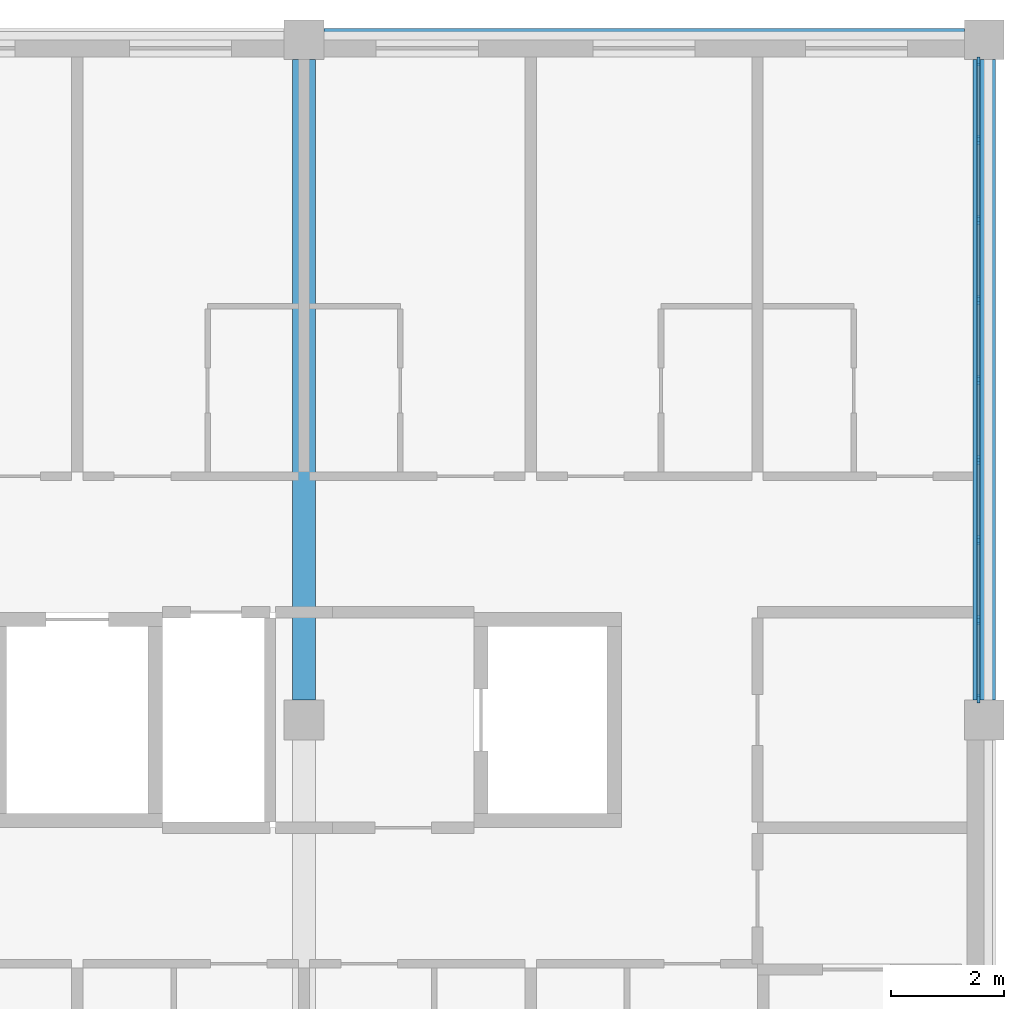
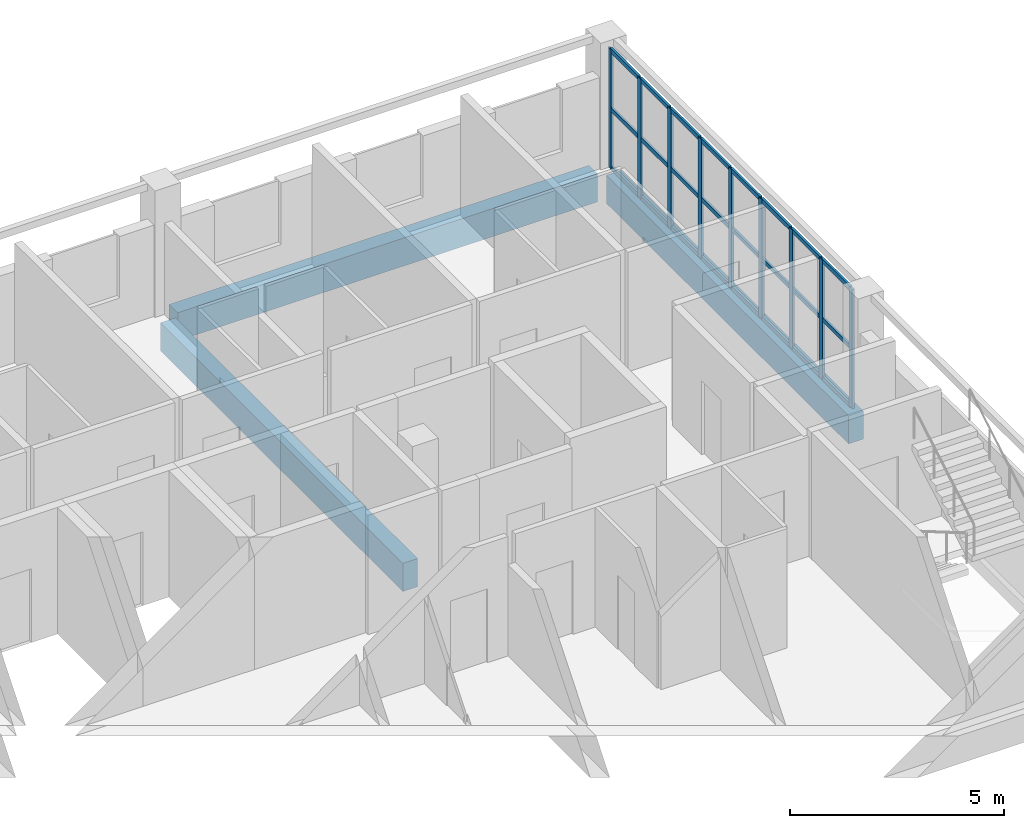
# One storey, part 4 of 11: 33 members, 3 beams, 1 element without a shape of its own.
"""IFC4 building model written with IfcOpenShell, lengths in metres."""

from ifc_helpers import new_model, si_unit, direction, frame, origin, origin_2d, place, context, subcontext, project, spatial, rectangle, extrude, material, layer, layer_set, material_profile, profile_set, type_object, element, aggregate, save


model = new_model("IFC4")

# Units and contexts
model_context = context("Model", 3, precision=1e-05, world=origin(), true_north=direction((0.0, 1.0)))
body_context = subcontext(model_context, "Body", "Model", "MODEL_VIEW")
ifc_project = project(units=[si_unit("LENGTHUNIT", "METRE"), si_unit("AREAUNIT", "SQUARE_METRE"), si_unit("VOLUMEUNIT", "CUBIC_METRE"), si_unit("PLANEANGLEUNIT", "RADIAN"), si_unit("MASSUNIT", "GRAM", prefix="KILO")], contexts=[model_context])

# Site, building, storey
site_placement = place(None, origin())
site = spatial("IfcSite", under=ifc_project, at=site_placement, CompositionType="ELEMENT")
building_placement = place(site_placement, origin())
building = spatial("IfcBuilding", under=site, at=building_placement, Name="Lilac Gate Convention Centre", CompositionType="ELEMENT")
storey_placement = place(building_placement, frame((0.0, 0.0, 57.0)))
storey = spatial("IfcBuildingStorey", under=building, at=storey_placement, Name="L14", CompositionType="ELEMENT", Elevation=57.0)

# Curtain wall, members
ifc_material_1 = material(Name="Aluminium framed double glazing", Category="aluminium")
ifc_layer = layer(ifc_material_1, 0.199951171875)
ifc_layer_set = layer_set([ifc_layer], Name="Aluminium framed double glazing")
curtain_wall_type = type_object("IfcCurtainWallType", Name="Unitised curtain wall 1500", PredefinedType="NOTDEFINED", material=ifc_layer_set)
curtain_wall_placement = place(storey_placement, origin())
curtain_wall = element("IfcCurtainWall", 1, at=curtain_wall_placement, inside=storey, type_object=curtain_wall_type, Name="Curtain wall E L14 2", PredefinedType="NOTDEFINED")
ifc_material_2 = material(Name="Aluminium alloy 6063", Category="aluminium")
ifc_material_profile_1 = material_profile(ifc_material_2, rectangle(XDim=0.06005859375, YDim=0.159912109375, at=origin_2d()), Name="Curtain wall mullion 60 x 160")
ifc_profile_set_1 = profile_set([ifc_material_profile_1], Name="Aluminium alloy 6063")
member_type_1 = type_object("IfcMemberType", Name="Curtain wall mullion 60 x 160", PredefinedType="MULLION", material=ifc_profile_set_1)
member_1_placement = place(storey_placement, frame((89.89990234375, 234.380126953125, 0.0), z_axis=(0.0, 0.0, 1.0), x_axis=(-1.0, 0.0, 0.0)))
member_1 = element("IfcMember", 2, at=member_1_placement, type_object=member_type_1, Name="CW mullion 1", PredefinedType="MULLION", context=body_context, shape_type="SweptSolid", body=[
    extrude(rectangle(XDim=0.06005859375, YDim=0.159912109375, at=origin_2d()), origin(), (0.0, 0.0, 1.0), 3.39990234375),
])
member_2_placement = place(storey_placement, frame((89.89990234375, 235.762451171875, 0.0), z_axis=(0.0, 0.0, 1.0), x_axis=(-1.0, 0.0, 0.0)))
member_2 = element("IfcMember", 3, at=member_2_placement, type_object=member_type_1, Name="CW mullion 2", PredefinedType="MULLION", context=body_context, shape_type="SweptSolid", body=[
    extrude(rectangle(XDim=0.06005859375, YDim=0.159912109375, at=origin_2d()), origin(), (0.0, 0.0, 1.0), 3.39990234375),
])
member_3_placement = place(storey_placement, frame((89.89990234375, 237.175048828125, 0.0), z_axis=(0.0, 0.0, 1.0), x_axis=(-1.0, 0.0, 0.0)))
member_3 = element("IfcMember", 4, at=member_3_placement, type_object=member_type_1, Name="CW mullion 3", PredefinedType="MULLION", context=body_context, shape_type="SweptSolid", body=[
    extrude(rectangle(XDim=0.06005859375, YDim=0.159912109375, at=origin_2d()), origin(), (0.0, 0.0, 1.0), 3.39990234375),
])
member_4_placement = place(storey_placement, frame((89.89990234375, 238.58740234375, 0.0), z_axis=(0.0, 0.0, 1.0), x_axis=(-1.0, 0.0, 0.0)))
member_4 = element("IfcMember", 5, at=member_4_placement, type_object=member_type_1, Name="CW mullion 4", PredefinedType="MULLION", context=body_context, shape_type="SweptSolid", body=[
    extrude(rectangle(XDim=0.06005859375, YDim=0.159912109375, at=origin_2d()), origin(), (0.0, 0.0, 1.0), 3.39990234375),
])
member_5_placement = place(storey_placement, frame((89.89990234375, 240.0, 0.0), z_axis=(0.0, 0.0, 1.0), x_axis=(-1.0, 0.0, 0.0)))
member_5 = element("IfcMember", 6, at=member_5_placement, type_object=member_type_1, Name="CW mullion 5", PredefinedType="MULLION", context=body_context, shape_type="SweptSolid", body=[
    extrude(rectangle(XDim=0.06005859375, YDim=0.159912109375, at=origin_2d()), origin(), (0.0, 0.0, 1.0), 3.39990234375),
])
member_6_placement = place(storey_placement, frame((89.89990234375, 241.41259765625, 0.0), z_axis=(0.0, 0.0, 1.0), x_axis=(-1.0, 0.0, 0.0)))
member_6 = element("IfcMember", 7, at=member_6_placement, type_object=member_type_1, Name="CW mullion 6", PredefinedType="MULLION", context=body_context, shape_type="SweptSolid", body=[
    extrude(rectangle(XDim=0.06005859375, YDim=0.159912109375, at=origin_2d()), origin(), (0.0, 0.0, 1.0), 3.39990234375),
])
member_7_placement = place(storey_placement, frame((89.89990234375, 242.824951171875, 0.0), z_axis=(0.0, 0.0, 1.0), x_axis=(-1.0, 0.0, 0.0)))
member_7 = element("IfcMember", 8, at=member_7_placement, type_object=member_type_1, Name="CW mullion 7", PredefinedType="MULLION", context=body_context, shape_type="SweptSolid", body=[
    extrude(rectangle(XDim=0.06005859375, YDim=0.159912109375, at=origin_2d()), origin(), (0.0, 0.0, 1.0), 3.39990234375),
])
member_8_placement = place(storey_placement, frame((89.89990234375, 244.237548828125, 0.0), z_axis=(0.0, 0.0, 1.0), x_axis=(-1.0, 0.0, 0.0)))
member_8 = element("IfcMember", 9, at=member_8_placement, type_object=member_type_1, Name="CW mullion 8", PredefinedType="MULLION", context=body_context, shape_type="SweptSolid", body=[
    extrude(rectangle(XDim=0.06005859375, YDim=0.159912109375, at=origin_2d()), origin(), (0.0, 0.0, 1.0), 3.39990234375),
])
member_9_placement = place(storey_placement, frame((89.89990234375, 245.619873046875, 0.0), z_axis=(0.0, 0.0, 1.0), x_axis=(-1.0, 0.0, 0.0)))
member_9 = element("IfcMember", 10, at=member_9_placement, type_object=member_type_1, Name="CW mullion 9", PredefinedType="MULLION", context=body_context, shape_type="SweptSolid", body=[
    extrude(rectangle(XDim=0.06005859375, YDim=0.159912109375, at=origin_2d()), origin(), (0.0, 0.0, 1.0), 3.39990234375),
])
ifc_material_profile_2 = material_profile(ifc_material_2, rectangle(XDim=0.06005859375, YDim=0.1201171875, at=origin_2d()), Name="Curtain wall transom 60 x 120")
ifc_profile_set_2 = profile_set([ifc_material_profile_2], Name="Aluminium alloy 6063")
member_type_2 = type_object("IfcMemberType", Name="Curtain wall transom 60 x 120", PredefinedType="USERDEFINED", material=ifc_profile_set_2)
member_10_placement = place(storey_placement, frame((89.89990234375, 234.41015625, 0.030029296875), z_axis=(0.0, 1.0, 0.0), x_axis=(-1.0, 0.0, 0.0)))
member_10 = element("IfcMember", 11, at=member_10_placement, type_object=member_type_2, Name="CW transom 1.1", ObjectType="TRANSOM", PredefinedType="USERDEFINED", context=body_context, shape_type="SweptSolid", body=[
    extrude(rectangle(XDim=0.06005859375, YDim=0.1201171875, at=origin_2d()), origin(), (0.0, 0.0, 1.0), 1.322509765625),
])
member_11_placement = place(storey_placement, frame((89.89990234375, 234.41015625, 1.699951171875), z_axis=(0.0, 1.0, 0.0), x_axis=(-1.0, 0.0, 0.0)))
member_11 = element("IfcMember", 12, at=member_11_placement, type_object=member_type_2, Name="CW transom 1.2", ObjectType="TRANSOM", PredefinedType="USERDEFINED", context=body_context, shape_type="SweptSolid", body=[
    extrude(rectangle(XDim=0.06005859375, YDim=0.1201171875, at=origin_2d()), origin(), (0.0, 0.0, 1.0), 1.322509765625),
])
member_12_placement = place(storey_placement, frame((89.89990234375, 234.41015625, 3.369873046875), z_axis=(0.0, 1.0, 0.0), x_axis=(-1.0, 0.0, 0.0)))
member_12 = element("IfcMember", 13, at=member_12_placement, type_object=member_type_2, Name="CW transom 1.3", ObjectType="TRANSOM", PredefinedType="USERDEFINED", context=body_context, shape_type="SweptSolid", body=[
    extrude(rectangle(XDim=0.06005859375, YDim=0.1201171875, at=origin_2d()), origin(), (0.0, 0.0, 1.0), 1.322509765625),
])
member_13_placement = place(storey_placement, frame((89.89990234375, 235.79248046875, 0.030029296875), z_axis=(0.0, 1.0, 0.0), x_axis=(-1.0, 0.0, 0.0)))
member_13 = element("IfcMember", 14, at=member_13_placement, type_object=member_type_2, Name="CW transom 2.1", ObjectType="TRANSOM", PredefinedType="USERDEFINED", context=body_context, shape_type="SweptSolid", body=[
    extrude(rectangle(XDim=0.06005859375, YDim=0.1201171875, at=origin_2d()), origin(), (0.0, 0.0, 1.0), 1.3525390625),
])
member_14_placement = place(storey_placement, frame((89.89990234375, 235.79248046875, 1.699951171875), z_axis=(0.0, 1.0, 0.0), x_axis=(-1.0, 0.0, 0.0)))
member_14 = element("IfcMember", 15, at=member_14_placement, type_object=member_type_2, Name="CW transom 2.2", ObjectType="TRANSOM", PredefinedType="USERDEFINED", context=body_context, shape_type="SweptSolid", body=[
    extrude(rectangle(XDim=0.06005859375, YDim=0.1201171875, at=origin_2d()), origin(), (0.0, 0.0, 1.0), 1.3525390625),
])
member_15_placement = place(storey_placement, frame((89.89990234375, 235.79248046875, 3.369873046875), z_axis=(0.0, 1.0, 0.0), x_axis=(-1.0, 0.0, 0.0)))
member_15 = element("IfcMember", 16, at=member_15_placement, type_object=member_type_2, Name="CW transom 2.3", ObjectType="TRANSOM", PredefinedType="USERDEFINED", context=body_context, shape_type="SweptSolid", body=[
    extrude(rectangle(XDim=0.06005859375, YDim=0.1201171875, at=origin_2d()), origin(), (0.0, 0.0, 1.0), 1.3525390625),
])
member_16_placement = place(storey_placement, frame((89.89990234375, 237.205078125, 0.030029296875), z_axis=(0.0, 1.0, 0.0), x_axis=(-1.0, 0.0, 0.0)))
member_16 = element("IfcMember", 17, at=member_16_placement, type_object=member_type_2, Name="CW transom 3.1", ObjectType="TRANSOM", PredefinedType="USERDEFINED", context=body_context, shape_type="SweptSolid", body=[
    extrude(rectangle(XDim=0.06005859375, YDim=0.1201171875, at=origin_2d()), origin(), (0.0, 0.0, 1.0), 1.3525390625),
])
member_17_placement = place(storey_placement, frame((89.89990234375, 237.205078125, 1.699951171875), z_axis=(0.0, 1.0, 0.0), x_axis=(-1.0, 0.0, 0.0)))
member_17 = element("IfcMember", 18, at=member_17_placement, type_object=member_type_2, Name="CW transom 3.2", ObjectType="TRANSOM", PredefinedType="USERDEFINED", context=body_context, shape_type="SweptSolid", body=[
    extrude(rectangle(XDim=0.06005859375, YDim=0.1201171875, at=origin_2d()), origin(), (0.0, 0.0, 1.0), 1.3525390625),
])
member_18_placement = place(storey_placement, frame((89.89990234375, 237.205078125, 3.369873046875), z_axis=(0.0, 1.0, 0.0), x_axis=(-1.0, 0.0, 0.0)))
member_18 = element("IfcMember", 19, at=member_18_placement, type_object=member_type_2, Name="CW transom 3.3", ObjectType="TRANSOM", PredefinedType="USERDEFINED", context=body_context, shape_type="SweptSolid", body=[
    extrude(rectangle(XDim=0.06005859375, YDim=0.1201171875, at=origin_2d()), origin(), (0.0, 0.0, 1.0), 1.3525390625),
])
member_19_placement = place(storey_placement, frame((89.89990234375, 238.617431640625, 0.030029296875), z_axis=(0.0, 1.0, 0.0), x_axis=(-1.0, 0.0, 0.0)))
member_19 = element("IfcMember", 20, at=member_19_placement, type_object=member_type_2, Name="CW transom 4.1", ObjectType="TRANSOM", PredefinedType="USERDEFINED", context=body_context, shape_type="SweptSolid", body=[
    extrude(rectangle(XDim=0.06005859375, YDim=0.1201171875, at=origin_2d()), origin(), (0.0, 0.0, 1.0), 1.3525390625),
])
member_20_placement = place(storey_placement, frame((89.89990234375, 238.617431640625, 1.699951171875), z_axis=(0.0, 1.0, 0.0), x_axis=(-1.0, 0.0, 0.0)))
member_20 = element("IfcMember", 21, at=member_20_placement, type_object=member_type_2, Name="CW transom 4.2", ObjectType="TRANSOM", PredefinedType="USERDEFINED", context=body_context, shape_type="SweptSolid", body=[
    extrude(rectangle(XDim=0.06005859375, YDim=0.1201171875, at=origin_2d()), origin(), (0.0, 0.0, 1.0), 1.3525390625),
])
member_21_placement = place(storey_placement, frame((89.89990234375, 238.617431640625, 3.369873046875), z_axis=(0.0, 1.0, 0.0), x_axis=(-1.0, 0.0, 0.0)))
member_21 = element("IfcMember", 22, at=member_21_placement, type_object=member_type_2, Name="CW transom 4.3", ObjectType="TRANSOM", PredefinedType="USERDEFINED", context=body_context, shape_type="SweptSolid", body=[
    extrude(rectangle(XDim=0.06005859375, YDim=0.1201171875, at=origin_2d()), origin(), (0.0, 0.0, 1.0), 1.3525390625),
])
member_22_placement = place(storey_placement, frame((89.89990234375, 240.030029296875, 0.030029296875), z_axis=(0.0, 1.0, 0.0), x_axis=(-1.0, 0.0, 0.0)))
member_22 = element("IfcMember", 23, at=member_22_placement, type_object=member_type_2, Name="CW transom 5.1", ObjectType="TRANSOM", PredefinedType="USERDEFINED", context=body_context, shape_type="SweptSolid", body=[
    extrude(rectangle(XDim=0.06005859375, YDim=0.1201171875, at=origin_2d()), origin(), (0.0, 0.0, 1.0), 1.3525390625),
])
member_23_placement = place(storey_placement, frame((89.89990234375, 240.030029296875, 1.699951171875), z_axis=(0.0, 1.0, 0.0), x_axis=(-1.0, 0.0, 0.0)))
member_23 = element("IfcMember", 24, at=member_23_placement, type_object=member_type_2, Name="CW transom 5.2", ObjectType="TRANSOM", PredefinedType="USERDEFINED", context=body_context, shape_type="SweptSolid", body=[
    extrude(rectangle(XDim=0.06005859375, YDim=0.1201171875, at=origin_2d()), origin(), (0.0, 0.0, 1.0), 1.3525390625),
])
member_24_placement = place(storey_placement, frame((89.89990234375, 240.030029296875, 3.369873046875), z_axis=(0.0, 1.0, 0.0), x_axis=(-1.0, 0.0, 0.0)))
member_24 = element("IfcMember", 25, at=member_24_placement, type_object=member_type_2, Name="CW transom 5.3", ObjectType="TRANSOM", PredefinedType="USERDEFINED", context=body_context, shape_type="SweptSolid", body=[
    extrude(rectangle(XDim=0.06005859375, YDim=0.1201171875, at=origin_2d()), origin(), (0.0, 0.0, 1.0), 1.3525390625),
])
member_25_placement = place(storey_placement, frame((89.89990234375, 241.4423828125, 0.030029296875), z_axis=(0.0, 1.0, 0.0), x_axis=(-1.0, 0.0, 0.0)))
member_25 = element("IfcMember", 26, at=member_25_placement, type_object=member_type_2, Name="CW transom 6.1", ObjectType="TRANSOM", PredefinedType="USERDEFINED", context=body_context, shape_type="SweptSolid", body=[
    extrude(rectangle(XDim=0.06005859375, YDim=0.1201171875, at=origin_2d()), origin(), (0.0, 0.0, 1.0), 1.3525390625),
])
member_26_placement = place(storey_placement, frame((89.89990234375, 241.4423828125, 1.699951171875), z_axis=(0.0, 1.0, 0.0), x_axis=(-1.0, 0.0, 0.0)))
member_26 = element("IfcMember", 27, at=member_26_placement, type_object=member_type_2, Name="CW transom 6.2", ObjectType="TRANSOM", PredefinedType="USERDEFINED", context=body_context, shape_type="SweptSolid", body=[
    extrude(rectangle(XDim=0.06005859375, YDim=0.1201171875, at=origin_2d()), origin(), (0.0, 0.0, 1.0), 1.3525390625),
])
member_27_placement = place(storey_placement, frame((89.89990234375, 241.4423828125, 3.369873046875), z_axis=(0.0, 1.0, 0.0), x_axis=(-1.0, 0.0, 0.0)))
member_27 = element("IfcMember", 28, at=member_27_placement, type_object=member_type_2, Name="CW transom 6.3", ObjectType="TRANSOM", PredefinedType="USERDEFINED", context=body_context, shape_type="SweptSolid", body=[
    extrude(rectangle(XDim=0.06005859375, YDim=0.1201171875, at=origin_2d()), origin(), (0.0, 0.0, 1.0), 1.3525390625),
])
member_28_placement = place(storey_placement, frame((89.89990234375, 242.85498046875, 0.030029296875), z_axis=(0.0, 1.0, 0.0), x_axis=(-1.0, 0.0, 0.0)))
member_28 = element("IfcMember", 29, at=member_28_placement, type_object=member_type_2, Name="CW transom 7.1", ObjectType="TRANSOM", PredefinedType="USERDEFINED", context=body_context, shape_type="SweptSolid", body=[
    extrude(rectangle(XDim=0.06005859375, YDim=0.1201171875, at=origin_2d()), origin(), (0.0, 0.0, 1.0), 1.3525390625),
])
member_29_placement = place(storey_placement, frame((89.89990234375, 242.85498046875, 1.699951171875), z_axis=(0.0, 1.0, 0.0), x_axis=(-1.0, 0.0, 0.0)))
member_29 = element("IfcMember", 30, at=member_29_placement, type_object=member_type_2, Name="CW transom 7.2", ObjectType="TRANSOM", PredefinedType="USERDEFINED", context=body_context, shape_type="SweptSolid", body=[
    extrude(rectangle(XDim=0.06005859375, YDim=0.1201171875, at=origin_2d()), origin(), (0.0, 0.0, 1.0), 1.3525390625),
])
member_30_placement = place(storey_placement, frame((89.89990234375, 242.85498046875, 3.369873046875), z_axis=(0.0, 1.0, 0.0), x_axis=(-1.0, 0.0, 0.0)))
member_30 = element("IfcMember", 31, at=member_30_placement, type_object=member_type_2, Name="CW transom 7.3", ObjectType="TRANSOM", PredefinedType="USERDEFINED", context=body_context, shape_type="SweptSolid", body=[
    extrude(rectangle(XDim=0.06005859375, YDim=0.1201171875, at=origin_2d()), origin(), (0.0, 0.0, 1.0), 1.3525390625),
])
member_31_placement = place(storey_placement, frame((89.89990234375, 244.267333984375, 0.030029296875), z_axis=(0.0, 1.0, 0.0), x_axis=(-1.0, 0.0, 0.0)))
member_31 = element("IfcMember", 32, at=member_31_placement, type_object=member_type_2, Name="CW transom 8.1", ObjectType="TRANSOM", PredefinedType="USERDEFINED", context=body_context, shape_type="SweptSolid", body=[
    extrude(rectangle(XDim=0.06005859375, YDim=0.1201171875, at=origin_2d()), origin(), (0.0, 0.0, 1.0), 1.322509765625),
])
member_32_placement = place(storey_placement, frame((89.89990234375, 244.267333984375, 1.699951171875), z_axis=(0.0, 1.0, 0.0), x_axis=(-1.0, 0.0, 0.0)))
member_32 = element("IfcMember", 33, at=member_32_placement, type_object=member_type_2, Name="CW transom 8.2", ObjectType="TRANSOM", PredefinedType="USERDEFINED", context=body_context, shape_type="SweptSolid", body=[
    extrude(rectangle(XDim=0.06005859375, YDim=0.1201171875, at=origin_2d()), origin(), (0.0, 0.0, 1.0), 1.322509765625),
])
member_33_placement = place(storey_placement, frame((89.89990234375, 244.267333984375, 3.369873046875), z_axis=(0.0, 1.0, 0.0), x_axis=(-1.0, 0.0, 0.0)))
member_33 = element("IfcMember", 34, at=member_33_placement, type_object=member_type_2, Name="CW transom 8.3", ObjectType="TRANSOM", PredefinedType="USERDEFINED", context=body_context, shape_type="SweptSolid", body=[
    extrude(rectangle(XDim=0.06005859375, YDim=0.1201171875, at=origin_2d()), origin(), (0.0, 0.0, 1.0), 1.322509765625),
])
aggregate(curtain_wall, [member_1, member_2, member_3, member_4, member_5, member_6, member_7, member_8, member_9, member_10, member_11, member_12, member_13, member_14, member_15, member_16, member_17, member_18, member_19, member_20, member_21, member_22, member_23, member_24, member_25, member_26, member_27, member_28, member_29, member_30, member_31, member_32, member_33])

# Beams
ifc_material_3 = material(Name="Concrete C40", Category="concrete")
ifc_material_profile_3 = material_profile(ifc_material_3, rectangle(XDim=0.39990234375, YDim=0.800048828125, at=origin_2d()), Name="RC 400x800")
ifc_profile_set_3 = profile_set([ifc_material_profile_3], Name="Concrete C40")
beam_type = type_object("IfcBeamType", Name="Tower primary beam 400x800 C40", PredefinedType="BEAM", material=ifc_profile_set_3)
for number, where, z_axis, x_axis, name in (
    (35, (78.35009765625, 246.0, -0.60009765625), (1.0, 0.0, 0.0), (0.0, 1.0, 0.0), "RB3 L14 7/U-8/U"),
    (36, (78.0, 234.35009765625, -0.60009765625), (0.0, 1.0, 0.0), (-1.0, 0.0, 0.0), "RB3 L14 7/T-7/U"),
    (37, (90.0, 234.35009765625, -0.60009765625), (0.0, 1.0, 0.0), (-1.0, 0.0, 0.0), "RB3 L14 8/T-8/U"),
):
    element("IfcBeam", number, at=place(storey_placement, frame(where, z_axis=z_axis, x_axis=x_axis)), inside=storey, type_object=beam_type, Name=name, PredefinedType="BEAM", context=body_context, shape_type="SweptSolid", body=[
        extrude(rectangle(XDim=0.39990234375, YDim=0.800048828125, at=origin_2d()), origin(), (0.0, 0.0, 1.0), 11.2998046875),
    ])

save(model, "model.ifc")
